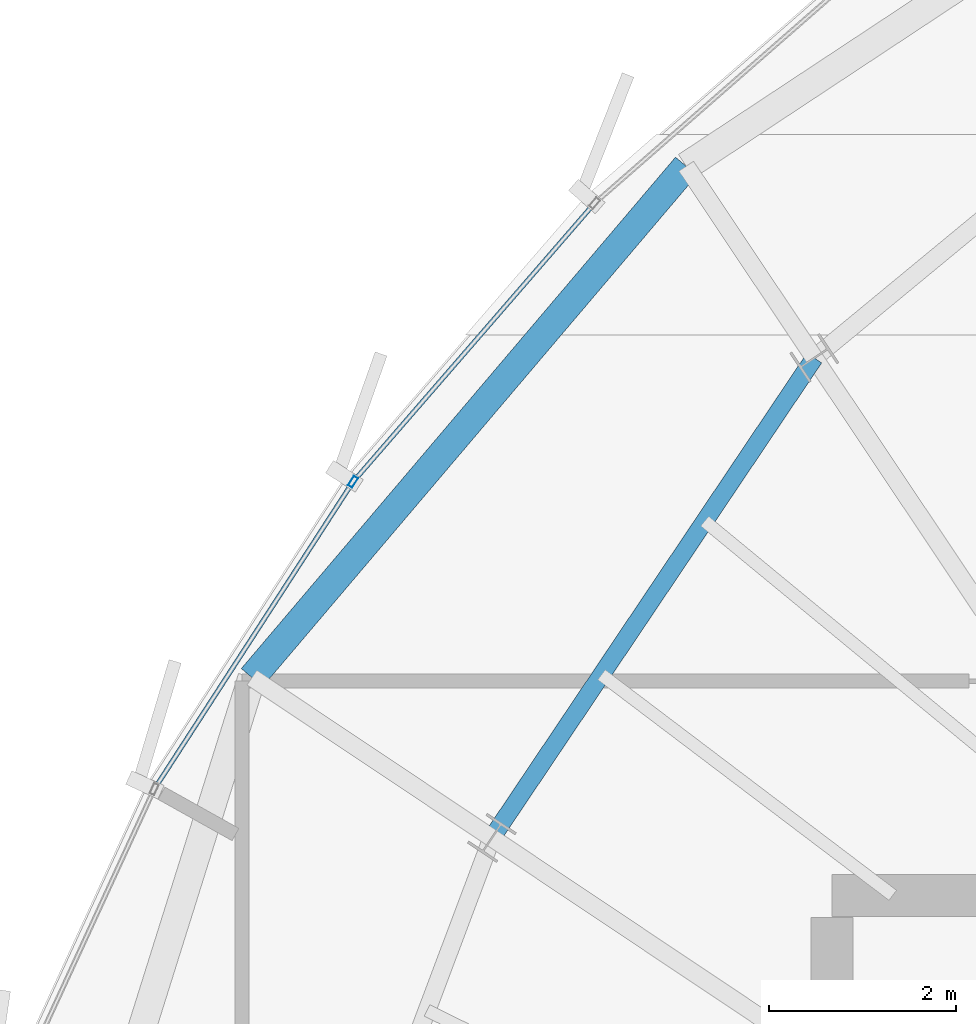
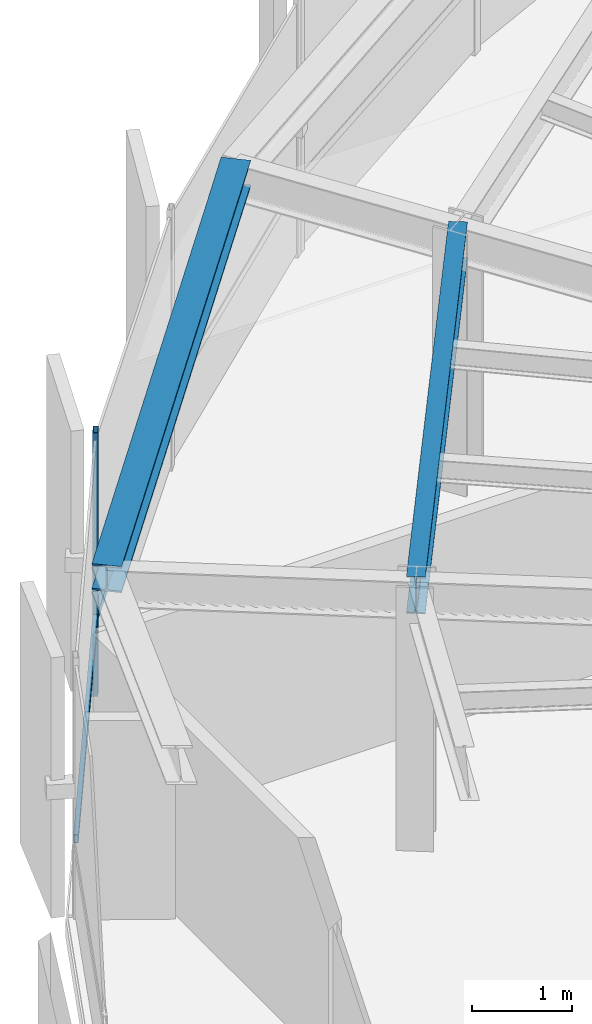
# One storey, part 18 of 32: 3 members, 2 beams, 1 element without a shape of its own.
"""IFC4 building model written with IfcOpenShell, lengths in metres."""

from ifc_helpers import new_model, si_unit, direction, frame, origin, origin_2d, place, context, subcontext, project, spatial, hollow_rectangle, i_section, extrude, source, transform, mapped, material, layer, layer_set, material_profile, profile_set, type_object, element, aggregate, save


model = new_model("IFC4")

# Units and contexts
model_context = context("Model", 3, precision=1e-05, world=origin(), true_north=direction((0.0, 1.0)))
body_context = subcontext(model_context, "Body", "Model", "MODEL_VIEW")
ifc_project = project(units=[si_unit("LENGTHUNIT", "METRE"), si_unit("AREAUNIT", "SQUARE_METRE"), si_unit("VOLUMEUNIT", "CUBIC_METRE"), si_unit("PLANEANGLEUNIT", "RADIAN"), si_unit("MASSUNIT", "GRAM", prefix="KILO"), si_unit("THERMODYNAMICTEMPERATUREUNIT", "KELVIN")], contexts=[model_context])

# Site, building, storey
site_placement = place(None, origin())
site = spatial("IfcSite", under=ifc_project, at=site_placement, CompositionType="ELEMENT")
building_placement = place(site_placement, origin())
building = spatial("IfcBuilding", under=site, at=building_placement, Name="Kethvar Cultural Tower", CompositionType="ELEMENT")
storey_placement = place(building_placement, frame((0.0, 0.0, 280.14990234375)))
storey = spatial("IfcBuildingStorey", under=building, at=storey_placement, Name="L74", CompositionType="ELEMENT", Elevation=280.14990234375)

# Beams
ifc_material_1 = material(Name="Steel S355J2", Category="steel")
ifc_material_profile_1 = material_profile(ifc_material_1, i_section(OverallWidth=0.18994140625, OverallDepth=0.449951171875, WebThickness=0.009521484375, FlangeThickness=0.0146484375, FilletRadius=0.02099609375, at=origin_2d()), Name="Steel S355J2 — IPE450")
ifc_profile_set_1 = profile_set([ifc_material_profile_1], Name="Steel S355J2 — IPE450")
beam_type_1 = type_object("IfcBeamType", Name="BM-IPE450", PredefinedType="BEAM", material=ifc_profile_set_1)
shared_shape_1 = source(origin(), body_context, "Body", "SweptSolid", [
    extrude(i_section(OverallWidth=0.18994140625, OverallDepth=0.449951171875, WebThickness=0.009521484375, FlangeThickness=0.0146484375, FilletRadius=0.02099609375, at=origin_2d()), origin(), (0.0, 0.0, 1.0), 6.192626953125),
])
beam_1_placement = place(storey_placement, frame((37.8095703125, 41.255126953125, 2.983154296875), z_axis=(-0.557698912025, -0.830043326295, 0.0), x_axis=(0.830043326295, -0.557698912025, 0.0)))
element("IfcBeam", 1, at=beam_1_placement, inside=storey, type_object=beam_type_1, Name="L74 Column Ring Tie Beam CR-06", PredefinedType="BEAM", context=body_context, shape_type="MappedRepresentation", body=[
    mapped(shared_shape_1, transform((0.0, 0.0, 0.0), scale=1.0)),
])
ifc_material_profile_2 = material_profile(ifc_material_1, i_section(OverallWidth=0.300048828125, OverallDepth=0.320068359375, WebThickness=0.011474609375, FlangeThickness=0.0205078125, FilletRadius=0.027099609375, at=origin_2d()), Name="Steel S355J2 — HEB320")
ifc_profile_set_2 = profile_set([ifc_material_profile_2], Name="Steel S355J2 — HEB320")
beam_type_2 = type_object("IfcBeamType", Name="BM-SP320", PredefinedType="SPANDREL", material=ifc_profile_set_2)
shared_shape_2 = source(origin(), body_context, "Body", "SweptSolid", [
    extrude(i_section(OverallWidth=0.300048828125, OverallDepth=0.320068359375, WebThickness=0.011474609375, FlangeThickness=0.0205078125, FilletRadius=0.027099609375, at=origin_2d()), origin(), (0.0, 0.0, 1.0), 7.18505859375),
])
beam_2_placement = place(storey_placement, frame((36.4375, 43.30859375, 3.048095703125), z_axis=(-0.647255781773, -0.762272886151, 0.0), x_axis=(0.762272886151, -0.647255781773, 0.0)))
element("IfcBeam", 2, at=beam_2_placement, inside=storey, type_object=beam_type_2, Name="L74 Perimeter Spandrel Beam SP-06", PredefinedType="SPANDREL", context=body_context, shape_type="MappedRepresentation", body=[
    mapped(shared_shape_2, transform((0.0, 0.0, 0.0), scale=1.0)),
])

# Curtain wall, members
ifc_material_2 = material(Name="Aluminium 6063-T6", Category="aluminium")
ifc_layer = layer(ifc_material_2, 0.179931640625, Name="Aluminium 6063-T6", Category="aluminium")
ifc_layer_set = layer_set([ifc_layer], Name="Aluminium 6063-T6 (180 mm)")
curtain_wall_type = type_object("IfcCurtainWallType", Name="CW-SYS-05-Z56", PredefinedType="NOTDEFINED", material=ifc_layer_set)
curtain_wall_placement = place(storey_placement, origin())
curtain_wall = element("IfcCurtainWall", 3, at=curtain_wall_placement, inside=storey, type_object=curtain_wall_type, Name="L74 Curtain Wall Run 02", PredefinedType="NOTDEFINED")
ifc_material_profile_3 = material_profile(ifc_material_2, hollow_rectangle(XDim=0.054931640625, YDim=0.1201171875, WallThickness=0.00390625, at=origin_2d()), Name="Aluminium 6063-T6 — RHS120x55x4")
ifc_profile_set_3 = profile_set([ifc_material_profile_3], Name="Aluminium 6063-T6 — RHS120x55x4")
member_type_1 = type_object("IfcMemberType", Name="CW-SYS-05-Z56-MUL", PredefinedType="MULLION", material=ifc_profile_set_3)
shared_shape_3 = source(origin(), body_context, "Body", "SweptSolid", [
    extrude(hollow_rectangle(XDim=0.054931640625, YDim=0.1201171875, WallThickness=0.00390625, at=origin_2d()), origin(), (0.0, 0.0, 1.0), 3.210205078125),
])
member_1_placement = place(storey_placement, frame((32.868896484375, 39.9287109375, 0.0), z_axis=(0.0, 0.0, 1.0), x_axis=(0.839790466384, -0.542910648791, 0.0)))
member_1 = element("IfcMember", 4, at=member_1_placement, type_object=member_type_1, Name="CW-L74-R02 Mullion 3", PredefinedType="MULLION", context=body_context, shape_type="MappedRepresentation", body=[
    mapped(shared_shape_3, transform((0.0, 0.0, 0.0), scale=1.0)),
])
ifc_material_profile_4 = material_profile(ifc_material_2, hollow_rectangle(XDim=0.050048828125, YDim=0.10009765625, WallThickness=0.00390625, at=origin_2d()), Name="Aluminium 6063-T6 — RHS100x50x4")
ifc_profile_set_4 = profile_set([ifc_material_profile_4], Name="Aluminium 6063-T6 — RHS100x50x4")
member_type_2 = type_object("IfcMemberType", Name="CW-SYS-05-Z56-TRN", PredefinedType="USERDEFINED", material=ifc_profile_set_4)
shared_shape_4 = source(origin(), body_context, "Body", "SweptSolid", [
    extrude(hollow_rectangle(XDim=0.050048828125, YDim=0.10009765625, WallThickness=0.00390625, at=origin_2d()), origin(), (0.0, 0.0, 1.0), 3.8837890625),
])
member_2_placement = place(storey_placement, frame((35.429931640625, 42.88232421875, 0.9501953125), z_axis=(-0.654892246241, -0.755722267644, 0.0), x_axis=(0.755722267644, -0.654892246241, 0.0)))
member_2 = element("IfcMember", 5, at=member_2_placement, type_object=member_type_2, Name="CW-L74-R02 Transom 2", ObjectType="TRANSOM", PredefinedType="USERDEFINED", context=body_context, shape_type="MappedRepresentation", body=[
    mapped(shared_shape_4, transform((0.0, 0.0, 0.0), scale=1.0)),
])
shared_shape_5 = source(origin(), body_context, "Body", "SweptSolid", [
    extrude(hollow_rectangle(XDim=0.050048828125, YDim=0.10009765625, WallThickness=0.00390625, at=origin_2d()), origin(), (0.0, 0.0, 1.0), 3.85498046875),
])
member_3_placement = place(storey_placement, frame((32.847412109375, 39.8955078125, 0.9501953125), z_axis=(-0.542865216343, -0.839819835968, 0.0), x_axis=(0.839819835968, -0.542865216343, 0.0)))
member_3 = element("IfcMember", 6, at=member_3_placement, type_object=member_type_2, Name="CW-L74-R02 Transom 3", ObjectType="TRANSOM", PredefinedType="USERDEFINED", context=body_context, shape_type="MappedRepresentation", body=[
    mapped(shared_shape_5, transform((0.0, 0.0, 0.0), scale=1.0)),
])
aggregate(curtain_wall, [member_1, member_2, member_3])

save(model, "model.ifc")
